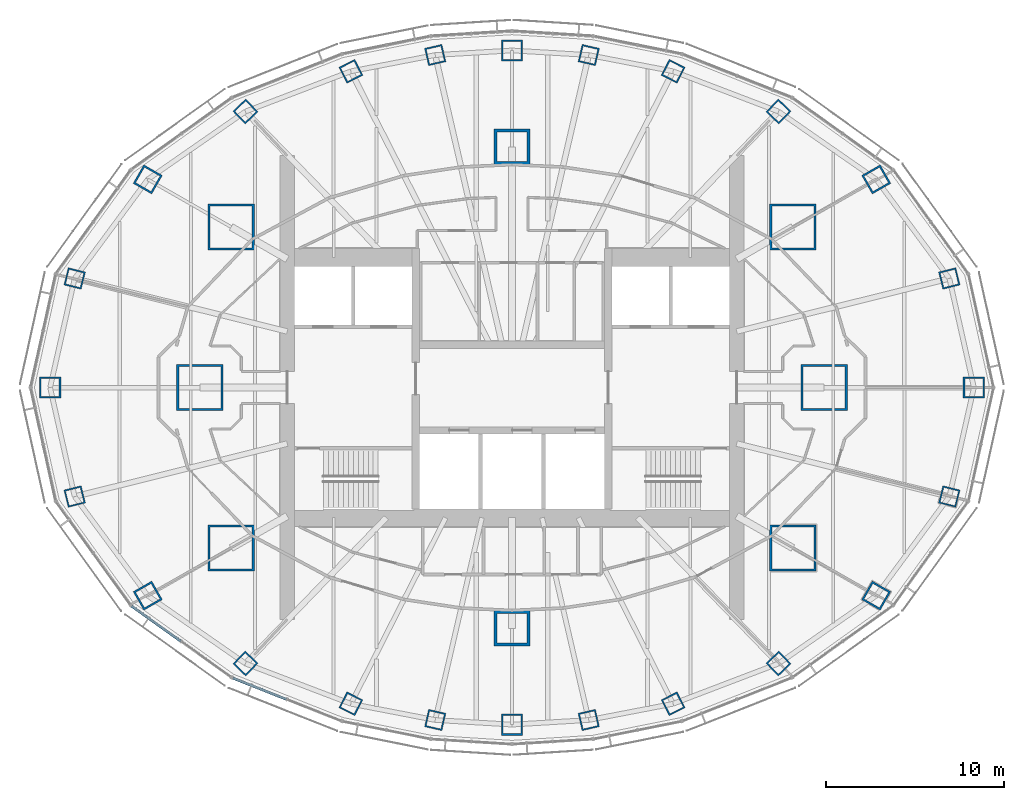
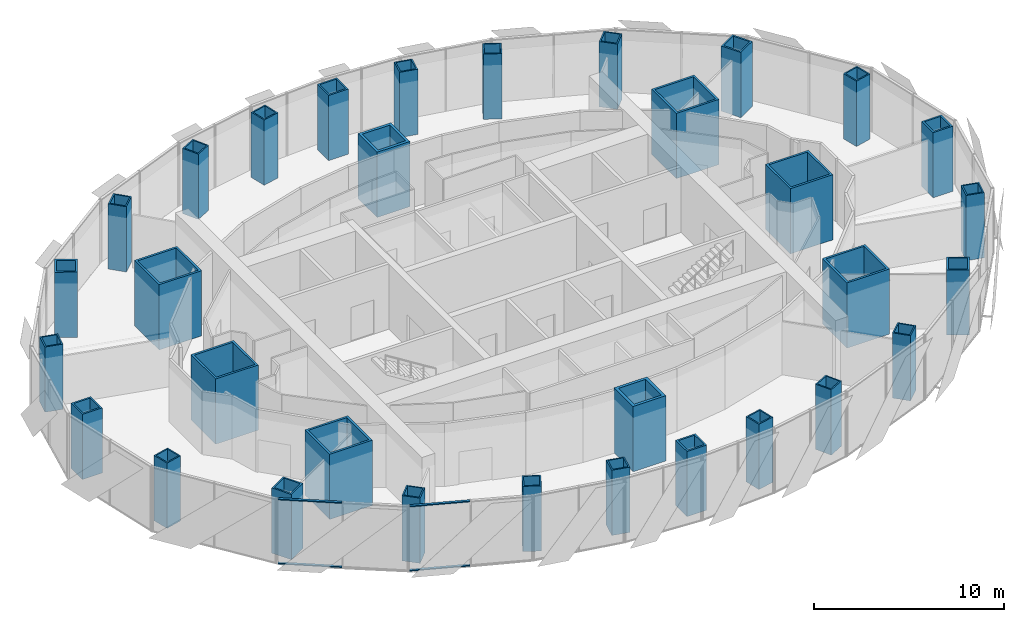
# One storey, part 1 of 17: 32 columns, 4 members, 2 elements without a shape of their own.
"""IFC4 building model written with IfcOpenShell, lengths in metres."""

from ifc_helpers import new_model, si_unit, direction, frame, origin, origin_2d, place, context, subcontext, project, spatial, rectangle, hollow_rectangle, extrude, material, material_profile, profile_set, type_object, element, aggregate, save


model = new_model("IFC4")

# Units and contexts
model_context = context("Model", 3, precision=1e-05, world=origin(), true_north=direction((0.0, 1.0)))
body_context = subcontext(model_context, "Body", "Model", "MODEL_VIEW")
ifc_project = project(units=[si_unit("LENGTHUNIT", "METRE"), si_unit("AREAUNIT", "SQUARE_METRE"), si_unit("VOLUMEUNIT", "CUBIC_METRE"), si_unit("PLANEANGLEUNIT", "RADIAN"), si_unit("MASSUNIT", "GRAM", prefix="KILO")], contexts=[model_context])

# Site, building, storey
site_placement = place(None, origin())
site = spatial("IfcSite", under=ifc_project, at=site_placement, CompositionType="ELEMENT")
building_placement = place(site_placement, origin())
building = spatial("IfcBuilding", under=site, at=building_placement, Name="Lantaw Convention Tower", CompositionType="ELEMENT")
storey_placement = place(building_placement, frame((0.0, 0.0, 207.39990234375)))
storey = spatial("IfcBuildingStorey", under=building, at=storey_placement, Name="L48", CompositionType="ELEMENT", Elevation=207.39990234375)

# Columns
ifc_material_1 = material(Name="Steel EN 10025-3 S460N", Category="steel")
ifc_material_profile_1 = material_profile(ifc_material_1, hollow_rectangle(XDim=2.0, YDim=2.0, WallThickness=0.169921875, at=origin_2d()), Name="BOX2000X170")
ifc_material_2 = material(Name="Concrete C60/75", Category="concrete")
ifc_material_profile_2 = material_profile(ifc_material_2, rectangle(XDim=1.659912109375, YDim=1.659912109375, at=origin_2d()), Name="Concrete fill of BOX2000X170")
ifc_profile_set_1 = profile_set([ifc_material_profile_1, ifc_material_profile_2], Name="Steel EN 10025-3 S460N")
column_type_1 = type_object("IfcColumnType", Name="Column MC BOX2000X170", PredefinedType="COLUMN", material=ifc_profile_set_1)
for number, where, z_axis, x_axis, name in (
    (1, (0.0, 13.5, 0.0), (0.0, 0.0, 1.0), (1.0, 0.0, 0.0), "Mega column M3"),
    (2, (0.0, -13.5, 0.0), (0.0, 0.0, 1.0), (1.0, 0.0, 0.0), "Mega column M7"),
):
    element("IfcColumn", number, at=place(storey_placement, frame(where, z_axis=z_axis, x_axis=x_axis)), inside=storey, type_object=column_type_1, Name=name, PredefinedType="COLUMN", context=body_context, shape_type="SweptSolid", body=[
        extrude(hollow_rectangle(XDim=2.0, YDim=2.0, WallThickness=0.169921875, at=origin_2d()), origin(), (0.0, 0.0, 1.0), 4.2001953125),
    ])
ifc_material_profile_3 = material_profile(ifc_material_1, hollow_rectangle(XDim=2.60009765625, YDim=2.60009765625, WallThickness=0.1298828125, at=origin_2d()), Name="BOX2600X130")
ifc_material_profile_4 = material_profile(ifc_material_2, rectangle(XDim=2.340087890625, YDim=2.340087890625, at=origin_2d()), Name="Concrete fill of BOX2600X130")
ifc_profile_set_2 = profile_set([ifc_material_profile_3, ifc_material_profile_4], Name="Steel EN 10025-3 S460N")
column_type_2 = type_object("IfcColumnType", Name="Column MC BOX2600X130", PredefinedType="COLUMN", material=ifc_profile_set_2)
for number, where, z_axis, x_axis, name in (
    (3, (17.5, 0.0, 0.0), (0.0, 0.0, 1.0), (1.0, 0.0, 0.0), "Mega column M1"),
    (4, (15.75, 9.0, 0.0), (0.0, 0.0, 1.0), (1.0, 0.0, 0.0), "Mega column M2"),
    (5, (-15.75, 9.0, 0.0), (0.0, 0.0, 1.0), (1.0, 0.0, 0.0), "Mega column M4"),
    (6, (-17.5, 0.0, 0.0), (0.0, 0.0, 1.0), (1.0, 0.0, 0.0), "Mega column M5"),
    (7, (-15.75, -9.0, 0.0), (0.0, 0.0, 1.0), (1.0, 0.0, 0.0), "Mega column M6"),
    (8, (15.75, -9.0, 0.0), (0.0, 0.0, 1.0), (1.0, 0.0, 0.0), "Mega column M8"),
):
    element("IfcColumn", number, at=place(storey_placement, frame(where, z_axis=z_axis, x_axis=x_axis)), inside=storey, type_object=column_type_2, Name=name, PredefinedType="COLUMN", context=body_context, shape_type="SweptSolid", body=[
        extrude(hollow_rectangle(XDim=2.60009765625, YDim=2.60009765625, WallThickness=0.1298828125, at=origin_2d()), origin(), (0.0, 0.0, 1.0), 4.2001953125),
    ])
ifc_material_3 = material(Name="Steel ASTM A572 Grade 50", Category="steel")
ifc_material_profile_5 = material_profile(ifc_material_3, hollow_rectangle(XDim=1.0, YDim=1.0, WallThickness=0.080078125, at=origin_2d()), Name="BOX1000X80")
ifc_material_profile_6 = material_profile(ifc_material_2, rectangle(XDim=0.840087890625, YDim=0.840087890625, at=origin_2d()), Name="Concrete fill of BOX1000X80")
ifc_profile_set_3 = profile_set([ifc_material_profile_5, ifc_material_profile_6], Name="Steel ASTM A572 Grade 50")
column_type_3 = type_object("IfcColumnType", Name="Column PC BOX1000X80", PredefinedType="COLUMN", material=ifc_profile_set_3)
for number, where, z_axis, x_axis, name in (
    (9, (24.52197265625, 6.114013671875, 0.0), (0.0, 0.0, 1.0), (0.970295726276, 0.2419218956, 0.0), "Perimeter column P2"),
    (10, (14.9443359375, 15.475341796875, 0.0), (0.0, 0.0, 1.0), (0.694658370459, 0.719339800339, 0.0), "Perimeter column P4"),
    (11, (9.03466796875, 17.7314453125, 0.0), (0.0, 0.0, 1.0), (0.45399049974, 0.891006524188, 0.0), "Perimeter column P5"),
    (12, (4.303955078125, 18.64208984375, 0.0), (0.0, 0.0, 1.0), (0.224951054344, 0.974370064785, 0.0), "Perimeter column P6"),
    (13, (-4.303955078125, 18.64208984375, 0.0), (0.0, 0.0, 1.0), (0.974370064785, 0.224951054344, 0.0), "Perimeter column P8"),
    (14, (-9.03466796875, 17.7314453125, 0.0), (0.0, 0.0, 1.0), (0.891006524188, 0.45399049974, 0.0), "Perimeter column P9"),
    (15, (-14.9443359375, 15.475341796875, 0.0), (0.0, 0.0, 1.0), (0.719339800339, 0.694658370459, 0.0), "Perimeter column P10"),
    (16, (-24.52197265625, 6.114013671875, 0.0), (0.0, 0.0, 1.0), (0.2419218956, 0.970295726276, 0.0), "Perimeter column P12"),
    (17, (-24.52197265625, -6.114013671875, 0.0), (0.0, 0.0, 1.0), (0.970295726276, 0.2419218956, 0.0), "Perimeter column P14"),
    (18, (-14.9443359375, -15.475341796875, 0.0), (0.0, 0.0, 1.0), (0.694658370459, 0.719339800339, 0.0), "Perimeter column P16"),
    (19, (-9.03466796875, -17.7314453125, 0.0), (0.0, 0.0, 1.0), (0.45399049974, 0.891006524188, 0.0), "Perimeter column P17"),
    (20, (-4.303955078125, -18.64208984375, 0.0), (0.0, 0.0, 1.0), (0.224951054344, 0.974370064785, 0.0), "Perimeter column P18"),
    (21, (4.303955078125, -18.64208984375, 0.0), (0.0, 0.0, 1.0), (0.974370064785, 0.224951054344, 0.0), "Perimeter column P20"),
    (22, (9.03466796875, -17.7314453125, 0.0), (0.0, 0.0, 1.0), (0.891006524188, 0.45399049974, 0.0), "Perimeter column P21"),
    (23, (14.9443359375, -15.475341796875, 0.0), (0.0, 0.0, 1.0), (0.719339800339, 0.694658370459, 0.0), "Perimeter column P22"),
    (24, (24.52197265625, -6.114013671875, 0.0), (0.0, 0.0, 1.0), (0.2419218956, 0.970295726276, 0.0), "Perimeter column P24"),
):
    element("IfcColumn", number, at=place(storey_placement, frame(where, z_axis=z_axis, x_axis=x_axis)), inside=storey, type_object=column_type_3, Name=name, PredefinedType="COLUMN", context=body_context, shape_type="SweptSolid", body=[
        extrude(hollow_rectangle(XDim=1.0, YDim=1.0, WallThickness=0.080078125, at=origin_2d()), origin(), (0.0, 0.0, 1.0), 4.2001953125),
    ])
ifc_material_profile_7 = material_profile(ifc_material_1, hollow_rectangle(XDim=1.199951171875, YDim=1.199951171875, WallThickness=0.10009765625, at=origin_2d()), Name="BOX1200X100")
ifc_material_profile_8 = material_profile(ifc_material_2, rectangle(XDim=1.0, YDim=1.0, at=origin_2d()), Name="Concrete fill of BOX1200X100")
ifc_profile_set_4 = profile_set([ifc_material_profile_7, ifc_material_profile_8], Name="Steel EN 10025-3 S460N")
column_type_4 = type_object("IfcColumnType", Name="Column PC BOX1200X100", PredefinedType="COLUMN", material=ifc_profile_set_4)
for number, where, z_axis, x_axis, name in (
    (25, (25.89990234375, 0.0, 0.0), (0.0, 0.0, 1.0), (1.0, 0.0, 0.0), "Perimeter column P1"),
    (26, (20.423095703125, 11.67041015625, 0.0), (0.0, 0.0, 1.0), (0.86824298017, 0.496139221777, 0.0), "Perimeter column P3"),
    (27, (0.0, 18.89990234375, 0.0), (0.0, 0.0, 1.0), (1.0, 0.0, 0.0), "Perimeter column P7"),
    (28, (-20.423095703125, 11.67041015625, 0.0), (0.0, 0.0, 1.0), (0.496139221777, 0.86824298017, 0.0), "Perimeter column P11"),
    (29, (-25.89990234375, 0.0, 0.0), (0.0, 0.0, 1.0), (1.0, 0.0, 0.0), "Perimeter column P13"),
    (30, (-20.423095703125, -11.67041015625, 0.0), (0.0, 0.0, 1.0), (0.86824298017, 0.496139221777, 0.0), "Perimeter column P15"),
    (31, (0.0, -18.89990234375, 0.0), (0.0, 0.0, 1.0), (1.0, 0.0, 0.0), "Perimeter column P19"),
    (32, (20.423095703125, -11.67041015625, 0.0), (0.0, 0.0, 1.0), (0.496139221777, 0.86824298017, 0.0), "Perimeter column P23"),
):
    element("IfcColumn", number, at=place(storey_placement, frame(where, z_axis=z_axis, x_axis=x_axis)), inside=storey, type_object=column_type_4, Name=name, PredefinedType="COLUMN", context=body_context, shape_type="SweptSolid", body=[
        extrude(hollow_rectangle(XDim=1.199951171875, YDim=1.199951171875, WallThickness=0.10009765625, at=origin_2d()), origin(), (0.0, 0.0, 1.0), 4.2001953125),
    ])

# Curtain wall, members
ifc_material_4 = material(Name="Aluminium framed curtain wall", Category="aluminium")
curtain_wall_type = type_object("IfcCurtainWallType", Name="Office curtain wall high rise, pale aluminium", PredefinedType="USERDEFINED", material=ifc_material_4)
curtain_wall_1_placement = place(storey_placement, origin())
curtain_wall_1 = element("IfcCurtainWall", 33, at=curtain_wall_1_placement, inside=storey, type_object=curtain_wall_type, Name="Office curtain wall high rise, pale aluminium L48", ObjectType="UNITISED CURTAIN WALL", PredefinedType="USERDEFINED")
ifc_material_5 = material(Name="Aluminium 6063-T6", Category="aluminium")
ifc_material_profile_9 = material_profile(ifc_material_5, rectangle(XDim=0.14990234375, YDim=0.06494140625, at=origin_2d()), Name="CW-O2 transom 65x150")
ifc_profile_set_5 = profile_set([ifc_material_profile_9], Name="Aluminium 6063-T6")
member_type = type_object("IfcMemberType", Name="CW-O2 transom 65x150", PredefinedType="USERDEFINED", material=ifc_profile_set_5)
member_1_placement = place(storey_placement, frame((-21.3251953125, -12.25390625, -0.117431640625), z_axis=(0.813679882592, -0.581313210468, 0.0), x_axis=(0.581313210468, 0.813679882592, 0.0)))
member_1 = element("IfcMember", 34, at=member_1_placement, type_object=member_type, Name="CW-O2 transom 1.1", ObjectType="TRANSOM", PredefinedType="USERDEFINED", context=body_context, shape_type="SweptSolid", body=[
    extrude(rectangle(XDim=0.14990234375, YDim=0.06494140625, at=origin_2d()), origin(), (0.0, 0.0, 1.0), 3.38623046875),
])
member_2_placement = place(storey_placement, frame((-21.3251953125, -12.25390625, 4.017578125), z_axis=(0.813679882592, -0.581313210468, 0.0), x_axis=(0.581313210468, 0.813679882592, 0.0)))
member_2 = element("IfcMember", 35, at=member_2_placement, type_object=member_type, Name="CW-O2 transom 1.2", ObjectType="TRANSOM", PredefinedType="USERDEFINED", context=body_context, shape_type="SweptSolid", body=[
    extrude(rectangle(XDim=0.14990234375, YDim=0.06494140625, at=origin_2d()), origin(), (0.0, 0.0, 1.0), 3.38623046875),
])
aggregate(curtain_wall_1, [member_1, member_2])

curtain_wall_2_placement = place(storey_placement, origin())
curtain_wall_2 = element("IfcCurtainWall", 36, at=curtain_wall_2_placement, inside=storey, type_object=curtain_wall_type, Name="Office curtain wall high rise, pale aluminium L48", ObjectType="UNITISED CURTAIN WALL", PredefinedType="USERDEFINED")
member_3_placement = place(storey_placement, frame((-15.648193359375, -16.29052734375, -0.117431640625), z_axis=(0.929740712354, -0.368214893495, 0.0), x_axis=(0.368214893495, 0.929740712354, 0.0)))
member_3 = element("IfcMember", 37, at=member_3_placement, type_object=member_type, Name="CW-O2 transom 1.1", ObjectType="TRANSOM", PredefinedType="USERDEFINED", context=body_context, shape_type="SweptSolid", body=[
    extrude(rectangle(XDim=0.14990234375, YDim=0.06494140625, at=origin_2d()), origin(), (0.0, 0.0, 1.0), 3.22314453125),
])
member_4_placement = place(storey_placement, frame((-15.648193359375, -16.29052734375, 4.017578125), z_axis=(0.929740712354, -0.368214893495, 0.0), x_axis=(0.368214893495, 0.929740712354, 0.0)))
member_4 = element("IfcMember", 38, at=member_4_placement, type_object=member_type, Name="CW-O2 transom 1.2", ObjectType="TRANSOM", PredefinedType="USERDEFINED", context=body_context, shape_type="SweptSolid", body=[
    extrude(rectangle(XDim=0.14990234375, YDim=0.06494140625, at=origin_2d()), origin(), (0.0, 0.0, 1.0), 3.22314453125),
])
aggregate(curtain_wall_2, [member_3, member_4])

save(model, "model.ifc")
